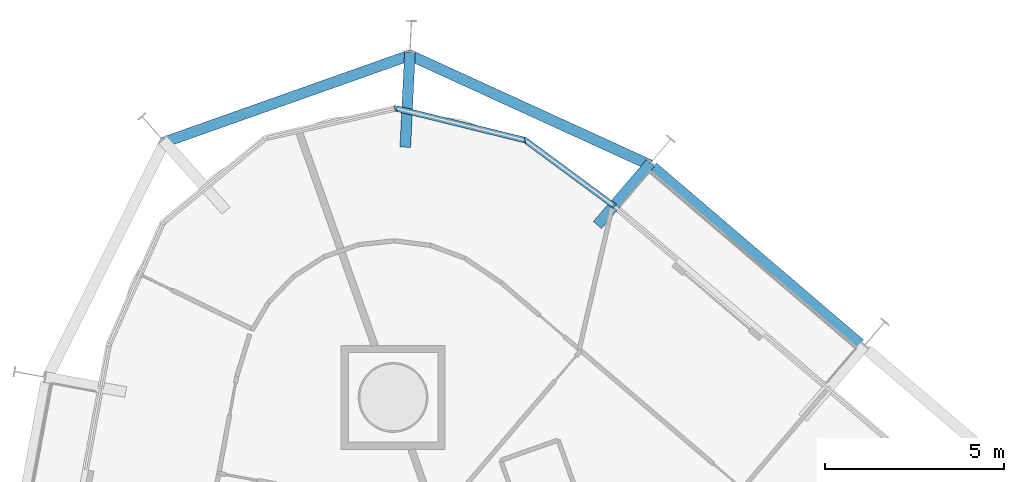
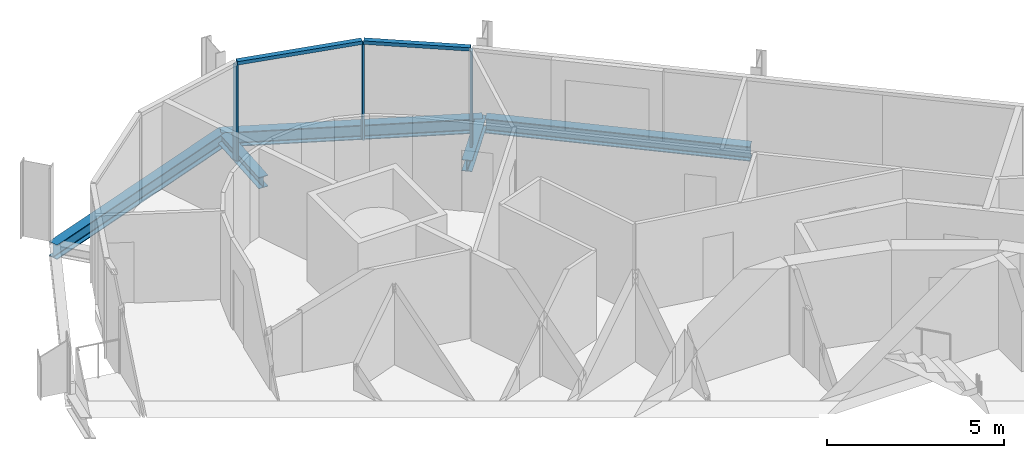
# One storey, part 7 of 17: 5 beams, 5 members, 1 element without a shape of its own.
"""IFC4 building model written with IfcOpenShell, lengths in metres."""

from ifc_helpers import new_model, si_unit, direction, frame, origin, origin_2d, place, context, subcontext, project, spatial, rectangle, i_section, extrude, material, layer, layer_set, material_profile, profile_set, type_object, element, aggregate, save


model = new_model("IFC4")

# Units and contexts
model_context = context("Model", 3, precision=1e-05, world=origin(), true_north=direction((0.0, 1.0)))
body_context = subcontext(model_context, "Body", "Model", "MODEL_VIEW")
ifc_project = project(units=[si_unit("LENGTHUNIT", "METRE"), si_unit("AREAUNIT", "SQUARE_METRE"), si_unit("VOLUMEUNIT", "CUBIC_METRE"), si_unit("PLANEANGLEUNIT", "RADIAN"), si_unit("MASSUNIT", "GRAM", prefix="KILO")], contexts=[model_context])

# Site, building, storey
site_placement = place(None, origin())
site = spatial("IfcSite", under=ifc_project, at=site_placement, CompositionType="ELEMENT")
building_placement = place(site_placement, origin())
building = spatial("IfcBuilding", under=site, at=building_placement, Name="Spindle Arch Residences", CompositionType="ELEMENT")
storey_placement = place(building_placement, frame((0.0, 0.0, 179.699951171875)))
storey = spatial("IfcBuildingStorey", under=building, at=storey_placement, Name="L45", CompositionType="ELEMENT", Elevation=179.699951171875)

# Curtain wall, members
ifc_material_1 = material(Name="Aluminium bronze unitised frame with tinted glass", Category="aluminium")
ifc_layer = layer(ifc_material_1, 0.159912109375)
ifc_layer_set = layer_set([ifc_layer], Name="CW-D corner wall on the fillet arcs")
curtain_wall_type = type_object("IfcCurtainWallType", Name="CW-D corner wall on the fillet arcs", PredefinedType="NOTDEFINED", material=ifc_layer_set)
curtain_wall_placement = place(storey_placement, origin())
curtain_wall = element("IfcCurtainWall", 1, at=curtain_wall_placement, inside=storey, type_object=curtain_wall_type, Name="CW-D L45 run 3", PredefinedType="NOTDEFINED")
ifc_material_2 = material(Name="Aluminium bronze anodised mullion", Category="aluminium")
ifc_material_profile_1 = material_profile(ifc_material_2, rectangle(XDim=0.159912109375, YDim=0.06005859375, at=origin_2d()), Name="MU 60x160")
ifc_profile_set_1 = profile_set([ifc_material_profile_1], Name="Aluminium bronze anodised mullion")
member_type_1 = type_object("IfcMemberType", Name="Bronze mullion 60x160", PredefinedType="MULLION", material=ifc_profile_set_1)
member_1_placement = place(storey_placement, frame((-0.86181640625, 25.213623046875, -0.3798828125), z_axis=(0.0, 0.0, 1.0), x_axis=(-0.594134492109, -0.804365716131, 0.0)))
member_1 = element("IfcMember", 2, at=member_1_placement, type_object=member_type_1, Name="CW-D mullion 00", PredefinedType="MULLION", context=body_context, shape_type="SweptSolid", body=[
    extrude(rectangle(XDim=0.159912109375, YDim=0.06005859375, at=origin_2d()), origin(), (0.0, 0.0, 1.0), 3.309814453125),
])
member_2_placement = place(storey_placement, frame((-3.3427734375, 27.046142578125, -0.3798828125), z_axis=(0.0, 0.0, 1.0), x_axis=(-0.239098401721, -0.970995342056, 0.0)))
member_2 = element("IfcMember", 3, at=member_2_placement, type_object=member_type_1, Name="CW-D mullion 01", PredefinedType="MULLION", context=body_context, shape_type="SweptSolid", body=[
    extrude(rectangle(XDim=0.159912109375, YDim=0.06005859375, at=origin_2d()), origin(), (0.0, 0.0, 1.0), 3.309814453125),
])
member_3_placement = place(storey_placement, frame((-6.96142578125, 27.937255859375, -0.3798828125), z_axis=(0.0, 0.0, 1.0), x_axis=(0.222115779633, -0.975020297449, 0.0)))
member_3 = element("IfcMember", 4, at=member_3_placement, type_object=member_type_1, Name="CW-D mullion 02", PredefinedType="MULLION", context=body_context, shape_type="SweptSolid", body=[
    extrude(rectangle(XDim=0.159912109375, YDim=0.06005859375, at=origin_2d()), origin(), (0.0, 0.0, 1.0), 3.309814453125),
])
ifc_material_3 = material(Name="Aluminium bronze anodised transom", Category="aluminium")
ifc_material_profile_2 = material_profile(ifc_material_3, rectangle(XDim=0.159912109375, YDim=0.1201171875, at=origin_2d()), Name="TR 120x160")
ifc_profile_set_2 = profile_set([ifc_material_profile_2], Name="Aluminium bronze anodised transom")
member_type_2 = type_object("IfcMemberType", Name="Bronze transom 120x160", PredefinedType="USERDEFINED", material=ifc_profile_set_2)
member_4_placement = place(storey_placement, frame((-0.8857421875, 25.2314453125, 2.989990234375), z_axis=(-0.804385788662, 0.594107316062, 0.0), x_axis=(-0.594107316062, -0.804385788662, 0.0)))
member_4 = element("IfcMember", 5, at=member_4_placement, type_object=member_type_2, Name="CW-D transom 00", ObjectType="TRANSOM", PredefinedType="USERDEFINED", context=body_context, shape_type="SweptSolid", body=[
    extrude(rectangle(XDim=0.159912109375, YDim=0.1201171875, at=origin_2d()), origin(), (0.0, 0.0, 1.0), 3.0244140625),
])
member_5_placement = place(storey_placement, frame((-3.371826171875, 27.053466796875, 2.989990234375), z_axis=(-0.970997997578, 0.239087617204, 0.0), x_axis=(-0.239087617204, -0.970997997578, 0.0)))
member_5 = element("IfcMember", 6, at=member_5_placement, type_object=member_type_2, Name="CW-D transom 01", ObjectType="TRANSOM", PredefinedType="USERDEFINED", context=body_context, shape_type="SweptSolid", body=[
    extrude(rectangle(XDim=0.159912109375, YDim=0.1201171875, at=origin_2d()), origin(), (0.0, 0.0, 1.0), 3.6669921875),
])
aggregate(curtain_wall, [member_1, member_4, member_2, member_5, member_3])

# Beams
ifc_material_4 = material(Name="Steel S460ML, intumescent coating R 120", Category="steel")
ifc_material_profile_3 = material_profile(ifc_material_4, i_section(OverallWidth=0.300048828125, OverallDepth=0.5, WebThickness=0.014404296875, FlangeThickness=0.028076171875, FilletRadius=0.027099609375, at=origin_2d()), Name="HEB 500")
ifc_profile_set_3 = profile_set([ifc_material_profile_3], Name="Steel S460ML, intumescent coating R 120")
beam_type_1 = type_object("IfcBeamType", Name="Exoskeleton edge beam HEB 500", PredefinedType="BEAM", material=ifc_profile_set_3)
beam_1_placement = place(storey_placement, frame((6.010009765625, 21.356689453125, -0.6298828125), z_axis=(-0.760418624565, 0.649433226294, 0.0), x_axis=(-0.649433226294, -0.760418624565, 0.0)))
element("IfcBeam", 7, at=beam_1_placement, inside=storey, type_object=beam_type_1, Name="Exoskeleton edge beam 9", PredefinedType="BEAM", context=body_context, shape_type="SweptSolid", body=[
    extrude(i_section(OverallWidth=0.300048828125, OverallDepth=0.5, WebThickness=0.014404296875, FlangeThickness=0.028076171875, FilletRadius=0.027099609375, at=origin_2d()), origin(), (0.0, 0.0, 1.0), 7.60009765625),
])
beam_2_placement = place(storey_placement, frame((0.151123046875, 26.34814453125, -0.6298828125), z_axis=(-0.909437531454, 0.415840566062, 0.0), x_axis=(-0.415840566062, -0.909437531454, 0.0)))
element("IfcBeam", 8, at=beam_2_placement, inside=storey, type_object=beam_type_1, Name="Exoskeleton edge beam 10", PredefinedType="BEAM", context=body_context, shape_type="SweptSolid", body=[
    extrude(i_section(OverallWidth=0.300048828125, OverallDepth=0.5, WebThickness=0.014404296875, FlangeThickness=0.028076171875, FilletRadius=0.027099609375, at=origin_2d()), origin(), (0.0, 0.0, 1.0), 7.42578125),
])
beam_3_placement = place(storey_placement, frame((-6.49853515625, 29.440185546875, -0.6298828125), z_axis=(-0.942642791069, -0.333803188189, 0.0), x_axis=(0.333803188189, -0.942642791069, 0.0)))
element("IfcBeam", 9, at=beam_3_placement, inside=storey, type_object=beam_type_1, Name="Exoskeleton edge beam 11", PredefinedType="BEAM", context=body_context, shape_type="SweptSolid", body=[
    extrude(i_section(OverallWidth=0.300048828125, OverallDepth=0.5, WebThickness=0.014404296875, FlangeThickness=0.028076171875, FilletRadius=0.027099609375, at=origin_2d()), origin(), (0.0, 0.0, 1.0), 7.403076171875),
])
ifc_material_5 = material(Name="Steel S460ML, intumescent coating R 120", Category="steel")
ifc_material_profile_4 = material_profile(ifc_material_5, i_section(OverallWidth=0.300048828125, OverallDepth=0.389892578125, WebThickness=0.010986328125, FlangeThickness=0.01904296875, FilletRadius=0.027099609375, at=origin_2d()), Name="HEA 400")
ifc_profile_set_4 = profile_set([ifc_material_profile_4], Name="Steel S460ML, intumescent coating R 120")
beam_type_2 = type_object("IfcBeamType", Name="Floor outrigger HEA 400", PredefinedType="BEAM", material=ifc_profile_set_4)
beam_4_placement = place(storey_placement, frame((0.157958984375, 26.407470703125, -0.574951171875), z_axis=(-0.649440691167, -0.76041224915, 0.0), x_axis=(0.76041224915, -0.649440691167, 0.0)))
element("IfcBeam", 10, at=beam_4_placement, inside=storey, type_object=beam_type_2, Name="Floor outrigger 10", PredefinedType="BEAM", context=body_context, shape_type="SweptSolid", body=[
    extrude(i_section(OverallWidth=0.300048828125, OverallDepth=0.389892578125, WebThickness=0.010986328125, FlangeThickness=0.01904296875, FilletRadius=0.027099609375, at=origin_2d()), origin(), (0.0, 0.0, 1.0), 2.279296875),
])
beam_5_placement = place(storey_placement, frame((-6.561279296875, 29.49609375, -0.574951171875), z_axis=(-0.048830159672, -0.998807096243, 0.0), x_axis=(0.998807096243, -0.048830159672, 0.0)))
element("IfcBeam", 11, at=beam_5_placement, inside=storey, type_object=beam_type_2, Name="Floor outrigger 11", PredefinedType="BEAM", context=body_context, shape_type="SweptSolid", body=[
    extrude(i_section(OverallWidth=0.300048828125, OverallDepth=0.389892578125, WebThickness=0.010986328125, FlangeThickness=0.01904296875, FilletRadius=0.027099609375, at=origin_2d()), origin(), (0.0, 0.0, 1.0), 2.64990234375),
])

save(model, "model.ifc")
